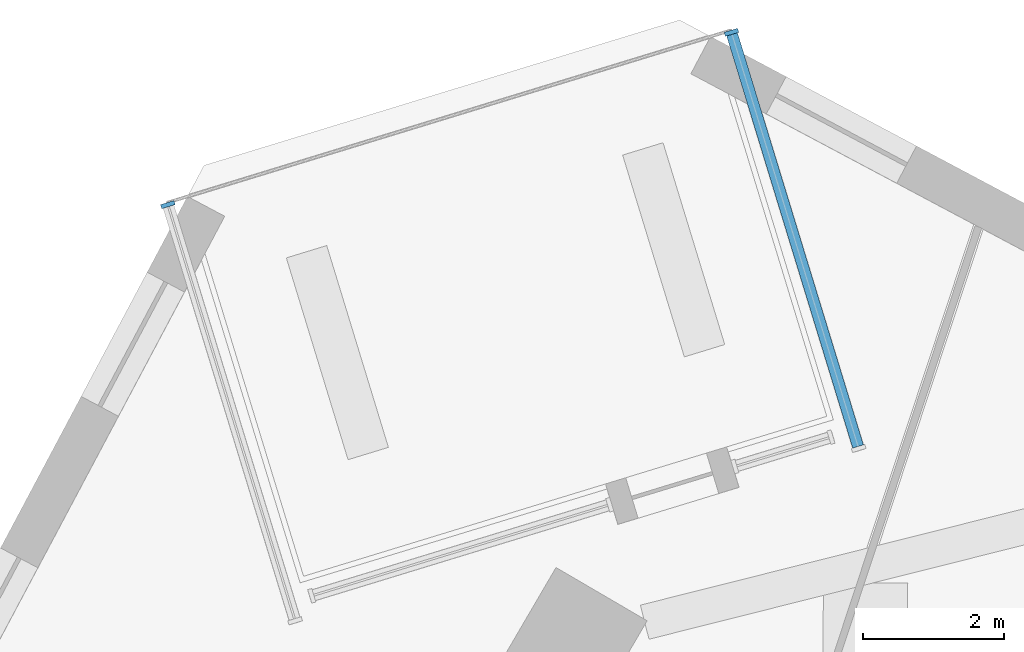
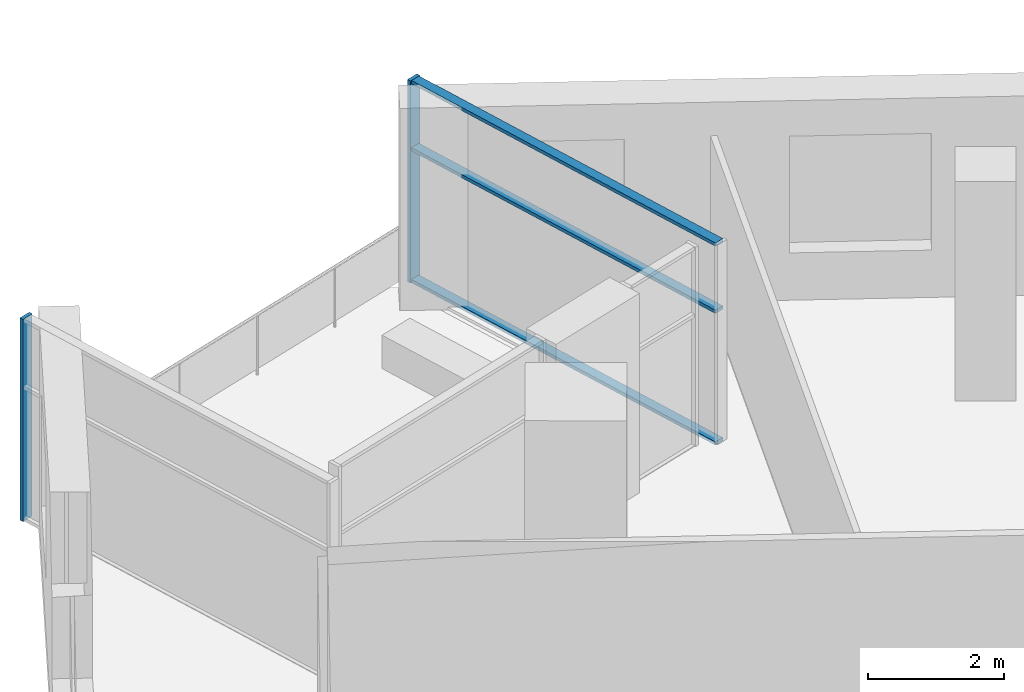
# One storey, part 4 of 13: 5 members, 2 elements without a shape of their own.
"""IFC4 building model written with IfcOpenShell, lengths in metres."""

from ifc_helpers import new_model, si_unit, direction, frame, origin, origin_2d, place, context, subcontext, project, spatial, rectangle, extrude, material, material_profile, profile_set, type_object, element, aggregate, save


model = new_model("IFC4")

# Units and contexts
model_context = context("Model", 3, precision=1e-05, world=origin(), true_north=direction((0.0, 1.0)))
body_context = subcontext(model_context, "Body", "Model", "MODEL_VIEW")
ifc_project = project(units=[si_unit("LENGTHUNIT", "METRE"), si_unit("AREAUNIT", "SQUARE_METRE"), si_unit("VOLUMEUNIT", "CUBIC_METRE"), si_unit("PLANEANGLEUNIT", "RADIAN"), si_unit("MASSUNIT", "GRAM", prefix="KILO")], contexts=[model_context])

# Site, building, storey
site_placement = place(None, origin())
site = spatial("IfcSite", under=ifc_project, at=site_placement, CompositionType="ELEMENT")
building_placement = place(site_placement, origin())
building = spatial("IfcBuilding", under=site, at=building_placement, Name="Dilmun Exchange Tower", CompositionType="ELEMENT")
storey_placement = place(building_placement, frame((0.0, 0.0, 278.89990234375)))
storey = spatial("IfcBuildingStorey", under=building, at=storey_placement, Name="L66", CompositionType="ELEMENT", Elevation=278.89990234375)

# Curtain wall, member
ifc_material_1 = material(Name="Anodised aluminium and clear glass", Category="aluminium")
curtain_wall_type = type_object("IfcCurtainWallType", Name="Garden corner glazing", PredefinedType="NOTDEFINED", material=ifc_material_1)
curtain_wall_1_placement = place(storey_placement, origin())
curtain_wall_1 = element("IfcCurtainWall", 1, at=curtain_wall_1_placement, inside=storey, type_object=curtain_wall_type, Name="Garden corner glazing run GC1.1", PredefinedType="NOTDEFINED")
ifc_material_2 = material(Name="Anodised aluminium", Category="aluminium")
ifc_material_profile_1 = material_profile(ifc_material_2, rectangle(XDim=0.199951171875, YDim=0.06005859375, at=origin_2d()), Name="AL 60x200")
ifc_profile_set_1 = profile_set([ifc_material_profile_1], Name="Anodised aluminium")
member_type_1 = type_object("IfcMemberType", Name="Garden corner glazing mullion 60 x 200", PredefinedType="MULLION", material=ifc_profile_set_1)
member_1_placement = place(storey_placement, frame((-1.68994140625, 35.091796875, 0.0), z_axis=(0.0, 0.0, 1.0), x_axis=(0.956303960364, 0.292374306997, 0.0)))
member_1 = element("IfcMember", 2, at=member_1_placement, type_object=member_type_1, Name="GC1.1 mullion 1", PredefinedType="MULLION", context=body_context, shape_type="SweptSolid", body=[
    extrude(rectangle(XDim=0.199951171875, YDim=0.06005859375, at=origin_2d()), origin(), (0.0, 0.0, 1.0), 3.64013671875),
])

curtain_wall_2_placement = place(storey_placement, origin())
curtain_wall_2 = element("IfcCurtainWall", 3, at=curtain_wall_2_placement, inside=storey, type_object=curtain_wall_type, Name="Garden corner glazing run GC3.1", PredefinedType="NOTDEFINED")
member_2_placement = place(storey_placement, frame((-9.701904296875, 32.642333984375, 0.0), z_axis=(0.0, 0.0, 1.0), x_axis=(-0.956303960364, -0.292374306997, 0.0)))
member_2 = element("IfcMember", 4, at=member_2_placement, type_object=member_type_1, Name="GC3.1 mullion 2", PredefinedType="MULLION", context=body_context, shape_type="SweptSolid", body=[
    extrude(rectangle(XDim=0.199951171875, YDim=0.06005859375, at=origin_2d()), origin(), (0.0, 0.0, 1.0), 3.64013671875),
])
aggregate(curtain_wall_2, [member_2])

# Member
ifc_material_profile_2 = material_profile(ifc_material_2, rectangle(XDim=0.159912109375, YDim=0.06005859375, at=origin_2d()), Name="AL 60x160")
ifc_profile_set_2 = profile_set([ifc_material_profile_2], Name="Anodised aluminium")
member_type_2 = type_object("IfcMemberType", Name="Garden corner glazing transom 60 x 160", PredefinedType="USERDEFINED", material=ifc_profile_set_2)
member_3_placement = place(storey_placement, frame((-1.68115234375, 35.063232421875, 0.030029296875), z_axis=(0.292374441819, -0.956303919145, 0.0), x_axis=(0.956303919145, 0.292374441819, 0.0)))
member_3 = element("IfcMember", 5, at=member_3_placement, type_object=member_type_2, Name="GC1.1 transom 1.1", ObjectType="TRANSOM", PredefinedType="USERDEFINED", context=body_context, shape_type="SweptSolid", body=[
    extrude(rectangle(XDim=0.159912109375, YDim=0.06005859375, at=origin_2d()), origin(), (0.0, 0.0, 1.0), 6.126708984375),
])

member_4_placement = place(storey_placement, frame((-1.68115234375, 35.063232421875, 2.400146484375), z_axis=(0.292374441819, -0.956303919145, 0.0), x_axis=(0.956303919145, 0.292374441819, 0.0)))
member_4 = element("IfcMember", 6, at=member_4_placement, type_object=member_type_2, Name="GC1.1 transom 1.2", ObjectType="TRANSOM", PredefinedType="USERDEFINED", context=body_context, shape_type="SweptSolid", body=[
    extrude(rectangle(XDim=0.159912109375, YDim=0.06005859375, at=origin_2d()), origin(), (0.0, 0.0, 1.0), 6.126708984375),
])

member_5_placement = place(storey_placement, frame((-1.68115234375, 35.063232421875, 3.610107421875), z_axis=(0.292374441819, -0.956303919145, 0.0), x_axis=(0.956303919145, 0.292374441819, 0.0)))
member_5 = element("IfcMember", 7, at=member_5_placement, type_object=member_type_2, Name="GC1.1 transom 1.3", ObjectType="TRANSOM", PredefinedType="USERDEFINED", context=body_context, shape_type="SweptSolid", body=[
    extrude(rectangle(XDim=0.159912109375, YDim=0.06005859375, at=origin_2d()), origin(), (0.0, 0.0, 1.0), 6.126708984375),
])

aggregate(curtain_wall_1, [member_1, member_3, member_4, member_5])

save(model, "model.ifc")
